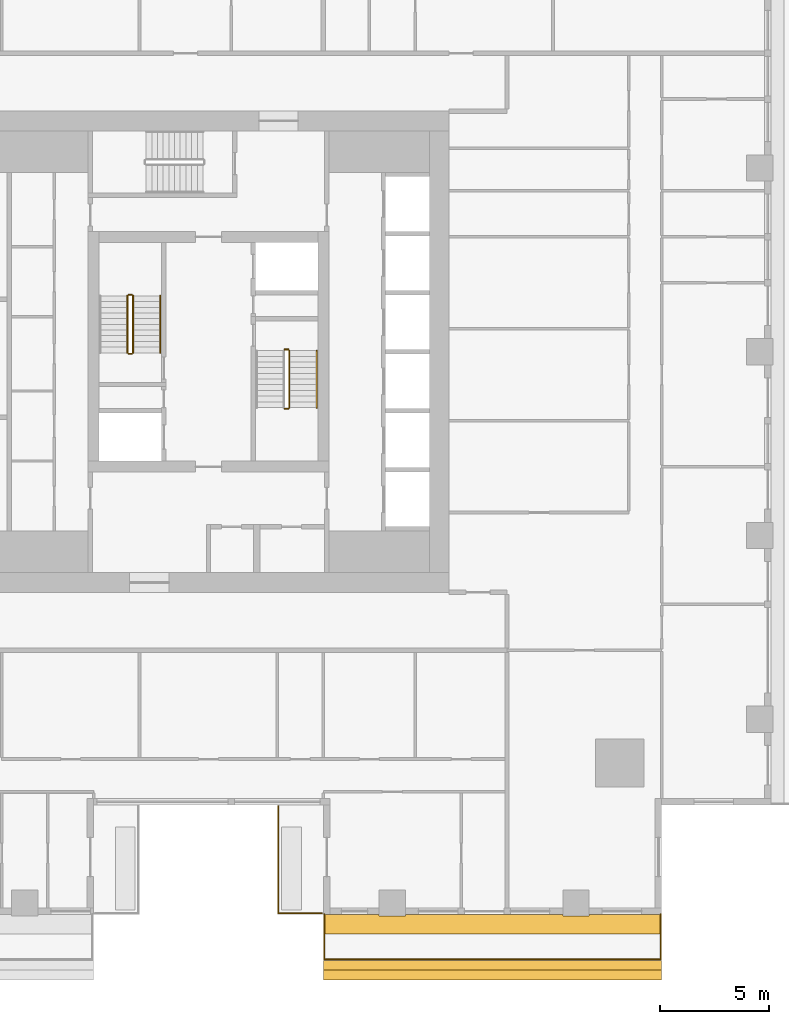
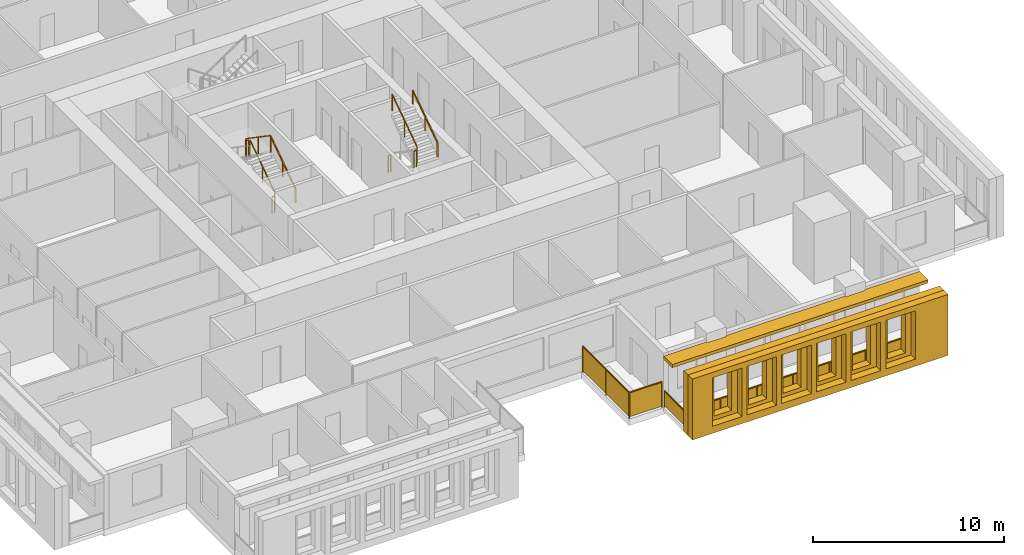
# One storey, part 12 of 15: 11 railings, 3 shading devices.
"""IFC4 building model written with IfcOpenShell, lengths in metres."""

from ifc_helpers import new_model, si_unit, direction, frame, origin, origin_2d, place, context, subcontext, project, spatial, polyline, rectangle, outline, extrude, material, layer, layer_set, type_object, element, save


model = new_model("IFC4")

# Units and contexts
model_context = context("Model", 3, precision=1e-05, world=origin(), true_north=direction((0.0, 1.0)))
body_context = subcontext(model_context, "Body", "Model", "MODEL_VIEW")
ifc_project = project(units=[si_unit("LENGTHUNIT", "METRE"), si_unit("AREAUNIT", "SQUARE_METRE"), si_unit("VOLUMEUNIT", "CUBIC_METRE"), si_unit("PLANEANGLEUNIT", "RADIAN"), si_unit("MASSUNIT", "GRAM", prefix="KILO")], contexts=[model_context])

# Site, building, storey
site_placement = place(None, origin())
site = spatial("IfcSite", under=ifc_project, at=site_placement, CompositionType="ELEMENT")
building_placement = place(site_placement, origin())
building = spatial("IfcBuilding", under=site, at=building_placement, Name="Khepri Terraces", CompositionType="ELEMENT")
storey_placement = place(building_placement, frame((0.0, 0.0, 248.39990234375)))
storey = spatial("IfcBuildingStorey", under=building, at=storey_placement, Name="L59", CompositionType="ELEMENT", Elevation=248.39990234375)

# Railings
ifc_material_1 = material(Name="Stainless steel grade 316", Category="steel")
railing_type_1 = type_object("IfcRailingType", Name="GRD-BAL-1100", PredefinedType="GUARDRAIL", material=ifc_material_1)
railing_1_placement = place(storey_placement, frame((5.300048828125, -25.719970703125, 0.0)))
element("IfcRailing", 1, at=railing_1_placement, inside=storey, type_object=railing_type_1, Name="Balcony guard L59 S", PredefinedType="GUARDRAIL", context=body_context, shape_type="SweptSolid", body=[
    extrude(rectangle(XDim=0.050048828125, YDim=0.06005859375, at=origin_2d()), frame((0.0, 0.0, 1.070068359375), z_axis=(0.0, -1.0, 0.0), x_axis=(1.0, 0.0, 0.0)), (0.0, 0.0, 1.0), 2.050048828125),
    extrude(rectangle(XDim=2.0, YDim=0.011962890625, at=origin_2d()), frame((0.0, -1.02490234375, 0.10009765625), z_axis=(0.0, 0.0, 1.0), x_axis=(0.0, -1.0, 0.0)), (0.0, 0.0, 1.0), 0.93994140625),
    extrude(rectangle(XDim=0.050048828125, YDim=0.06005859375, at=origin_2d()), frame((0.0, -2.050048828125, 1.070068359375), z_axis=(1.0, 0.0, 0.0), x_axis=(0.0, 1.0, 0.0)), (0.0, 0.0, 1.0), 15.369873046875),
    extrude(rectangle(XDim=2.145751953125, YDim=0.011962890625, at=origin_2d()), frame((1.097900390625, -2.050048828125, 0.10009765625), z_axis=(0.0, 0.0, 1.0), x_axis=(1.0, 0.0, 0.0)), (0.0, 0.0, 1.0), 0.93994140625),
    extrude(rectangle(XDim=2.145751953125, YDim=0.011962890625, at=origin_2d()), frame((3.29345703125, -2.050048828125, 0.10009765625), z_axis=(0.0, 0.0, 1.0), x_axis=(1.0, 0.0, 0.0)), (0.0, 0.0, 1.0), 0.93994140625),
    extrude(rectangle(XDim=2.145751953125, YDim=0.011962890625, at=origin_2d()), frame((5.4892578125, -2.050048828125, 0.10009765625), z_axis=(0.0, 0.0, 1.0), x_axis=(1.0, 0.0, 0.0)), (0.0, 0.0, 1.0), 0.93994140625),
    extrude(rectangle(XDim=2.145751953125, YDim=0.011962890625, at=origin_2d()), frame((7.68505859375, -2.050048828125, 0.10009765625), z_axis=(0.0, 0.0, 1.0), x_axis=(1.0, 0.0, 0.0)), (0.0, 0.0, 1.0), 0.93994140625),
    extrude(rectangle(XDim=2.145751953125, YDim=0.011962890625, at=origin_2d()), frame((9.880615234375, -2.050048828125, 0.10009765625), z_axis=(0.0, 0.0, 1.0), x_axis=(1.0, 0.0, 0.0)), (0.0, 0.0, 1.0), 0.93994140625),
    extrude(rectangle(XDim=2.145751953125, YDim=0.011962890625, at=origin_2d()), frame((12.076416015625, -2.050048828125, 0.10009765625), z_axis=(0.0, 0.0, 1.0), x_axis=(1.0, 0.0, 0.0)), (0.0, 0.0, 1.0), 0.93994140625),
    extrude(rectangle(XDim=2.145751953125, YDim=0.011962890625, at=origin_2d()), frame((14.27197265625, -2.050048828125, 0.10009765625), z_axis=(0.0, 0.0, 1.0), x_axis=(1.0, 0.0, 0.0)), (0.0, 0.0, 1.0), 0.93994140625),
    extrude(rectangle(XDim=0.050048828125, YDim=0.06005859375, at=origin_2d()), frame((15.369873046875, -2.050048828125, 1.070068359375), z_axis=(0.0, 1.0, 0.0), x_axis=(-1.0, 0.0, 0.0)), (0.0, 0.0, 1.0), 2.050048828125),
    extrude(rectangle(XDim=2.0, YDim=0.011962890625, at=origin_2d()), frame((15.369873046875, -1.02490234375, 0.10009765625), z_axis=(0.0, 0.0, 1.0), x_axis=(0.0, 1.0, 0.0)), (0.0, 0.0, 1.0), 0.93994140625),
    extrude(rectangle(XDim=0.050048828125, YDim=0.050048828125, at=origin_2d()), origin(), (0.0, 0.0, 1.0), 1.0400390625),
    extrude(rectangle(XDim=0.050048828125, YDim=0.050048828125, at=origin_2d()), frame((0.0, -2.050048828125, 0.0)), (0.0, 0.0, 1.0), 1.0400390625),
    extrude(rectangle(XDim=0.050048828125, YDim=0.050048828125, at=origin_2d()), frame((2.19580078125, -2.050048828125, 0.0)), (0.0, 0.0, 1.0), 1.0400390625),
    extrude(rectangle(XDim=0.050048828125, YDim=0.050048828125, at=origin_2d()), frame((4.391357421875, -2.050048828125, 0.0)), (0.0, 0.0, 1.0), 1.0400390625),
    extrude(rectangle(XDim=0.050048828125, YDim=0.050048828125, at=origin_2d()), frame((6.587158203125, -2.050048828125, 0.0)), (0.0, 0.0, 1.0), 1.0400390625),
    extrude(rectangle(XDim=0.050048828125, YDim=0.050048828125, at=origin_2d()), frame((8.78271484375, -2.050048828125, 0.0)), (0.0, 0.0, 1.0), 1.0400390625),
    extrude(rectangle(XDim=0.050048828125, YDim=0.050048828125, at=origin_2d()), frame((10.978515625, -2.050048828125, 0.0)), (0.0, 0.0, 1.0), 1.0400390625),
    extrude(rectangle(XDim=0.050048828125, YDim=0.050048828125, at=origin_2d()), frame((13.174072265625, -2.050048828125, 0.0)), (0.0, 0.0, 1.0), 1.0400390625),
    extrude(rectangle(XDim=0.050048828125, YDim=0.050048828125, at=origin_2d()), frame((15.369873046875, -2.050048828125, 0.0)), (0.0, 0.0, 1.0), 1.0400390625),
    extrude(rectangle(XDim=0.050048828125, YDim=0.050048828125, at=origin_2d()), frame((15.369873046875, 0.0, 0.0)), (0.0, 0.0, 1.0), 1.0400390625),
])
railing_type_2 = type_object("IfcRailingType", Name="GRD-TERR-1700", PredefinedType="GUARDRAIL", material=ifc_material_1)
railing_2_placement = place(storey_placement, frame((5.179931640625, -25.669921875, 0.0)))
element("IfcRailing", 2, at=railing_2_placement, inside=storey, type_object=railing_type_2, Name="Terrace guard L59", PredefinedType="GUARDRAIL", context=body_context, shape_type="SweptSolid", body=[
    extrude(rectangle(XDim=0.050048828125, YDim=0.06005859375, at=origin_2d()), frame((0.0, 0.0, 1.669921875), z_axis=(-1.0, 0.0, 0.0), x_axis=(0.0, -1.0, 0.0)), (0.0, 0.0, 1.0), 1.97998046875),
    extrude(rectangle(XDim=1.929931640625, YDim=0.011962890625, at=origin_2d()), frame((-0.989990234375, 0.0, 0.10009765625), z_axis=(0.0, 0.0, 1.0), x_axis=(-1.0, 0.0, 0.0)), (0.0, 0.0, 1.0), 1.539794921875),
    extrude(rectangle(XDim=0.050048828125, YDim=0.06005859375, at=origin_2d()), frame((-1.97998046875, 0.0, 1.669921875), z_axis=(0.0, 1.0, 0.0), x_axis=(-1.0, 0.0, 0.0)), (0.0, 0.0, 1.0), 4.8798828125),
    extrude(rectangle(XDim=2.389892578125, YDim=0.011962890625, at=origin_2d()), frame((-1.97998046875, 1.219970703125, 0.10009765625), z_axis=(0.0, 0.0, 1.0), x_axis=(0.0, 1.0, 0.0)), (0.0, 0.0, 1.0), 1.539794921875),
    extrude(rectangle(XDim=2.389892578125, YDim=0.011962890625, at=origin_2d()), frame((-1.97998046875, 3.659912109375, 0.10009765625), z_axis=(0.0, 0.0, 1.0), x_axis=(0.0, 1.0, 0.0)), (0.0, 0.0, 1.0), 1.539794921875),
    extrude(rectangle(XDim=0.050048828125, YDim=0.050048828125, at=origin_2d()), origin(), (0.0, 0.0, 1.0), 1.639892578125),
    extrude(rectangle(XDim=0.050048828125, YDim=0.050048828125, at=origin_2d()), frame((-1.97998046875, 0.0, 0.0)), (0.0, 0.0, 1.0), 1.639892578125),
    extrude(rectangle(XDim=0.050048828125, YDim=0.050048828125, at=origin_2d()), frame((-1.97998046875, 2.43994140625, 0.0)), (0.0, 0.0, 1.0), 1.639892578125),
    extrude(rectangle(XDim=0.050048828125, YDim=0.050048828125, at=origin_2d()), frame((-1.97998046875, 4.8798828125, 0.0)), (0.0, 0.0, 1.0), 1.639892578125),
])
ifc_material_2 = material(Name="Stainless steel 316", Category="steel")
railing_type_3 = type_object("IfcRailingType", Name="RL-CORE-GUARD", PredefinedType="GUARDRAIL", material=ifc_material_2)
railing_3_placement = place(storey_placement, frame((-3.449951171875, -0.050048828125, 0.177490234375)))
element("IfcRailing", 3, at=railing_3_placement, inside=storey, type_object=railing_type_3, Name="L59 ST-1 stair guard 1", PredefinedType="GUARDRAIL", context=body_context, shape_type="SweptSolid", body=[
    extrude(rectangle(XDim=0.050048828125, YDim=0.06005859375, at=origin_2d()), frame((0.0, 0.0, 1.070068359375), z_axis=(0.0, 0.826240473404, 0.563317565952), x_axis=(-1.0, 0.0, 0.0)), (0.0, 0.0, 1.0), 3.14697265625),
    extrude(rectangle(XDim=0.050048828125, YDim=0.050048828125, at=origin_2d()), origin(), (0.0, 0.0, 1.0), 1.0400390625),
    extrude(rectangle(XDim=0.050048828125, YDim=0.050048828125, at=origin_2d()), frame((0.0, 1.300048828125, 0.88623046875)), (0.0, 0.0, 1.0), 1.0400390625),
    extrude(rectangle(XDim=0.050048828125, YDim=0.050048828125, at=origin_2d()), frame((0.0, 2.60009765625, 1.772705078125)), (0.0, 0.0, 1.0), 1.0400390625),
])
railing_4_placement = place(storey_placement, frame((-3.5, 2.60009765625, 1.9501953125)))
element("IfcRailing", 4, at=railing_4_placement, inside=storey, type_object=railing_type_3, Name="L59 ST-1 stair guard 2", PredefinedType="GUARDRAIL", context=body_context, shape_type="SweptSolid", body=[
    extrude(rectangle(XDim=0.050048828125, YDim=0.06005859375, at=origin_2d()), frame((0.0, 0.0, 1.070068359375), z_axis=(-1.0, 0.0, 0.0), x_axis=(0.0, -1.0, 0.0)), (0.0, 0.0, 1.0), 0.14990234375),
    extrude(rectangle(XDim=0.050048828125, YDim=0.050048828125, at=origin_2d()), origin(), (0.0, 0.0, 1.0), 1.0400390625),
    extrude(rectangle(XDim=0.050048828125, YDim=0.050048828125, at=origin_2d()), frame((-0.14990234375, 0.0, 0.0)), (0.0, 0.0, 1.0), 1.0400390625),
])
railing_5_placement = place(storey_placement, frame((-3.699951171875, 2.550048828125, 2.12744140625)))
element("IfcRailing", 5, at=railing_5_placement, inside=storey, type_object=railing_type_3, Name="L59 ST-1 stair guard 3", PredefinedType="GUARDRAIL", context=body_context, shape_type="SweptSolid", body=[
    extrude(rectangle(XDim=0.050048828125, YDim=0.06005859375, at=origin_2d()), frame((0.0, 0.0, 1.070068359375), z_axis=(0.0, -0.826240473404, 0.563317565952), x_axis=(1.0, 0.0, 0.0)), (0.0, 0.0, 1.0), 3.14697265625),
    extrude(rectangle(XDim=0.050048828125, YDim=0.050048828125, at=origin_2d()), origin(), (0.0, 0.0, 1.0), 1.0400390625),
    extrude(rectangle(XDim=0.050048828125, YDim=0.050048828125, at=origin_2d()), frame((0.0, -1.300048828125, 0.88623046875)), (0.0, 0.0, 1.0), 1.0400390625),
    extrude(rectangle(XDim=0.050048828125, YDim=0.050048828125, at=origin_2d()), frame((0.0, -2.60009765625, 1.772705078125)), (0.0, 0.0, 1.0), 1.0400390625),
])
railing_6_placement = place(storey_placement, frame((-3.5, -0.10009765625, 0.0)))
element("IfcRailing", 6, at=railing_6_placement, inside=storey, type_object=railing_type_3, Name="L59 ST-1 stair guard 4", PredefinedType="GUARDRAIL", context=body_context, shape_type="SweptSolid", body=[
    extrude(rectangle(XDim=0.050048828125, YDim=0.06005859375, at=origin_2d()), frame((0.0, 0.0, 1.070068359375), z_axis=(-1.0, 0.0, 0.0), x_axis=(0.0, -1.0, 0.0)), (0.0, 0.0, 1.0), 0.14990234375),
    extrude(rectangle(XDim=0.050048828125, YDim=0.050048828125, at=origin_2d()), origin(), (0.0, 0.0, 1.0), 1.0400390625),
    extrude(rectangle(XDim=0.050048828125, YDim=0.050048828125, at=origin_2d()), frame((-0.14990234375, 0.0, 0.0)), (0.0, 0.0, 1.0), 1.0400390625),
])
railing_7_placement = place(storey_placement, frame((3.5, -2.60009765625, 1.9501953125)))
element("IfcRailing", 7, at=railing_7_placement, inside=storey, type_object=railing_type_3, Name="L59 ST-2 stair guard 2", PredefinedType="GUARDRAIL", context=body_context, shape_type="SweptSolid", body=[
    extrude(rectangle(XDim=0.050048828125, YDim=0.06005859375, at=origin_2d()), frame((0.0, 0.0, 1.070068359375), z_axis=(1.0, 0.0, 0.0), x_axis=(0.0, 1.0, 0.0)), (0.0, 0.0, 1.0), 0.14990234375),
    extrude(rectangle(XDim=0.050048828125, YDim=0.050048828125, at=origin_2d()), origin(), (0.0, 0.0, 1.0), 1.0400390625),
    extrude(rectangle(XDim=0.050048828125, YDim=0.050048828125, at=origin_2d()), frame((0.14990234375, 0.0, 0.0)), (0.0, 0.0, 1.0), 1.0400390625),
])
railing_8_placement = place(storey_placement, frame((3.699951171875, -2.550048828125, 2.12744140625)))
element("IfcRailing", 8, at=railing_8_placement, inside=storey, type_object=railing_type_3, Name="L59 ST-2 stair guard 3", PredefinedType="GUARDRAIL", context=body_context, shape_type="SweptSolid", body=[
    extrude(rectangle(XDim=0.050048828125, YDim=0.06005859375, at=origin_2d()), frame((0.0, 0.0, 1.070068359375), z_axis=(0.0, 0.826240473404, 0.563317565952), x_axis=(-1.0, 0.0, 0.0)), (0.0, 0.0, 1.0), 3.14697265625),
    extrude(rectangle(XDim=0.050048828125, YDim=0.050048828125, at=origin_2d()), origin(), (0.0, 0.0, 1.0), 1.0400390625),
    extrude(rectangle(XDim=0.050048828125, YDim=0.050048828125, at=origin_2d()), frame((0.0, 1.300048828125, 0.88623046875)), (0.0, 0.0, 1.0), 1.0400390625),
    extrude(rectangle(XDim=0.050048828125, YDim=0.050048828125, at=origin_2d()), frame((0.0, 2.60009765625, 1.772705078125)), (0.0, 0.0, 1.0), 1.0400390625),
])
railing_9_placement = place(storey_placement, frame((3.5, 0.10009765625, 0.0)))
element("IfcRailing", 9, at=railing_9_placement, inside=storey, type_object=railing_type_3, Name="L59 ST-2 stair guard 4", PredefinedType="GUARDRAIL", context=body_context, shape_type="SweptSolid", body=[
    extrude(rectangle(XDim=0.050048828125, YDim=0.06005859375, at=origin_2d()), frame((0.0, 0.0, 1.070068359375), z_axis=(1.0, 0.0, 0.0), x_axis=(0.0, 1.0, 0.0)), (0.0, 0.0, 1.0), 0.14990234375),
    extrude(rectangle(XDim=0.050048828125, YDim=0.050048828125, at=origin_2d()), origin(), (0.0, 0.0, 1.0), 1.0400390625),
    extrude(rectangle(XDim=0.050048828125, YDim=0.050048828125, at=origin_2d()), frame((0.14990234375, 0.0, 0.0)), (0.0, 0.0, 1.0), 1.0400390625),
])
railing_type_4 = type_object("IfcRailingType", Name="RL-CORE-HANDRAIL", PredefinedType="HANDRAIL", material=ifc_material_2)
for number, where, name in (
    (10, (-2.199951171875, -0.050048828125, 0.177490234375), "L59 ST-1 stair handrail 1"),
    (11, (4.949951171875, -2.550048828125, 2.12744140625), "L59 ST-2 stair handrail 2"),
):
    element("IfcRailing", number, at=place(storey_placement, frame(where)), inside=storey, type_object=railing_type_4, Name=name, PredefinedType="HANDRAIL", context=body_context, shape_type="SweptSolid", body=[
        extrude(rectangle(XDim=0.050048828125, YDim=0.050048828125, at=origin_2d()), frame((0.0, 0.0, 0.875), z_axis=(0.0, 0.826240473404, 0.563317565952), x_axis=(-1.0, 0.0, 0.0)), (0.0, 0.0, 1.0), 3.14697265625),
        extrude(rectangle(XDim=0.050048828125, YDim=0.050048828125, at=origin_2d()), origin(), (0.0, 0.0, 1.0), 0.849853515625),
        extrude(rectangle(XDim=0.050048828125, YDim=0.050048828125, at=origin_2d()), frame((0.0, 1.300048828125, 0.88623046875)), (0.0, 0.0, 1.0), 0.849853515625),
        extrude(rectangle(XDim=0.050048828125, YDim=0.050048828125, at=origin_2d()), frame((0.0, 2.60009765625, 1.772705078125)), (0.0, 0.0, 1.0), 0.849853515625),
    ])

# Shading devices
ifc_material_3 = material(Name="Precast concrete C50/60 warm stone", Category="masonry")
shading_device_type_1 = type_object("IfcShadingDeviceType", Name="SCR-CELL-INNER-450", PredefinedType="USERDEFINED", material=ifc_material_3)
shading_device_1_placement = place(storey_placement, frame((5.25, -27.820068359375, -0.25), z_axis=(0.0, -1.0, 0.0), x_axis=(1.0, 0.0, 0.0)))
element("IfcShadingDevice", 12, at=shading_device_1_placement, inside=storey, type_object=shading_device_type_1, Name="Cell screen L59 S in", ObjectType="SCREEN", PredefinedType="USERDEFINED", context=body_context, shape_type="SweptSolid", body=[
    extrude(outline(polyline([(0.0, 0.0), (15.469970703125, 0.0), (15.469970703125, 3.89990234375), (0.0, 3.89990234375), (0.0, 0.0)]), holes=[polyline([(1.556640625, 0.699951171875), (2.643310546875, 0.699951171875), (2.643310546875, 3.300048828125), (1.556640625, 3.300048828125), (1.556640625, 0.699951171875)]), polyline([(3.656494140625, 0.699951171875), (4.743408203125, 0.699951171875), (4.743408203125, 3.300048828125), (3.656494140625, 3.300048828125), (3.656494140625, 0.699951171875)]), polyline([(5.756591796875, 0.699951171875), (6.843505859375, 0.699951171875), (6.843505859375, 3.300048828125), (5.756591796875, 3.300048828125), (5.756591796875, 0.699951171875)]), polyline([(7.856689453125, 0.699951171875), (8.943359375, 0.699951171875), (8.943359375, 3.300048828125), (7.856689453125, 3.300048828125), (7.856689453125, 0.699951171875)]), polyline([(9.95654296875, 0.699951171875), (11.04345703125, 0.699951171875), (11.04345703125, 3.300048828125), (9.95654296875, 3.300048828125), (9.95654296875, 0.699951171875)]), polyline([(12.056640625, 0.699951171875), (13.143310546875, 0.699951171875), (13.143310546875, 3.300048828125), (12.056640625, 3.300048828125), (12.056640625, 0.699951171875)]), polyline([(14.156494140625, 0.699951171875), (15.243408203125, 0.699951171875), (15.243408203125, 3.300048828125), (14.156494140625, 3.300048828125), (14.156494140625, 0.699951171875)])]), origin(), (0.0, 0.0, 1.0), 0.449951171875),
])
shading_device_type_2 = type_object("IfcShadingDeviceType", Name="SCR-CELL-OUTER-450", PredefinedType="USERDEFINED", material=ifc_material_3)
shading_device_2_placement = place(storey_placement, frame((5.25, -28.27001953125, -0.25), z_axis=(0.0, -1.0, 0.0), x_axis=(1.0, 0.0, 0.0)))
element("IfcShadingDevice", 13, at=shading_device_2_placement, inside=storey, type_object=shading_device_type_2, Name="Cell screen L59 S out", ObjectType="SCREEN", PredefinedType="USERDEFINED", context=body_context, shape_type="SweptSolid", body=[
    extrude(outline(polyline([(0.0, 0.0), (15.469970703125, 0.0), (15.469970703125, 3.89990234375), (0.0, 3.89990234375), (0.0, 0.0)]), holes=[polyline([(1.20654296875, 0.449951171875), (2.993408203125, 0.449951171875), (2.993408203125, 3.550048828125), (1.20654296875, 3.550048828125), (1.20654296875, 0.449951171875)]), polyline([(3.306640625, 0.449951171875), (5.093505859375, 0.449951171875), (5.093505859375, 3.550048828125), (3.306640625, 3.550048828125), (3.306640625, 0.449951171875)]), polyline([(5.406494140625, 0.449951171875), (7.193359375, 0.449951171875), (7.193359375, 3.550048828125), (5.406494140625, 3.550048828125), (5.406494140625, 0.449951171875)]), polyline([(7.506591796875, 0.449951171875), (9.29345703125, 0.449951171875), (9.29345703125, 3.550048828125), (7.506591796875, 3.550048828125), (7.506591796875, 0.449951171875)]), polyline([(9.606689453125, 0.449951171875), (11.393310546875, 0.449951171875), (11.393310546875, 3.550048828125), (9.606689453125, 3.550048828125), (9.606689453125, 0.449951171875)]), polyline([(11.70654296875, 0.449951171875), (13.493408203125, 0.449951171875), (13.493408203125, 3.550048828125), (11.70654296875, 3.550048828125), (11.70654296875, 0.449951171875)])]), origin(), (0.0, 0.0, 1.0), 0.449951171875),
])
ifc_layer = layer(ifc_material_3, 0.199951171875, Name="Precast concrete C50/60 warm stone", Category="masonry")
ifc_layer_set = layer_set([ifc_layer], Name="Precast concrete C50/60 warm stone")
shading_device_type_3 = type_object("IfcShadingDeviceType", Name="SSH-BAND-STONE-200", PredefinedType="USERDEFINED", material=ifc_layer_set)
shading_device_3_placement = place(storey_placement, frame((0.0, 0.0, 3.10009765625)))
element("IfcShadingDevice", 14, at=shading_device_3_placement, inside=storey, type_object=shading_device_type_3, Name="Sunshade band L59 S", ObjectType="SUNSHADE", PredefinedType="USERDEFINED", context=body_context, shape_type="SweptSolid", body=[
    extrude(outline(polyline([(7.800048828125, -25.719970703125), (5.25, -25.719970703125), (5.25, -26.6201171875), (20.719970703125, -26.6201171875), (20.719970703125, -25.719970703125), (17.39990234375, -25.719970703125), (17.39990234375, -25.800048828125), (16.199951171875, -25.800048828125), (16.199951171875, -25.719970703125), (9.0, -25.719970703125), (9.0, -25.800048828125), (7.800048828125, -25.800048828125), (7.800048828125, -25.719970703125)])), origin(), (0.0, 0.0, 1.0), 0.199951171875),
])

save(model, "model.ifc")
